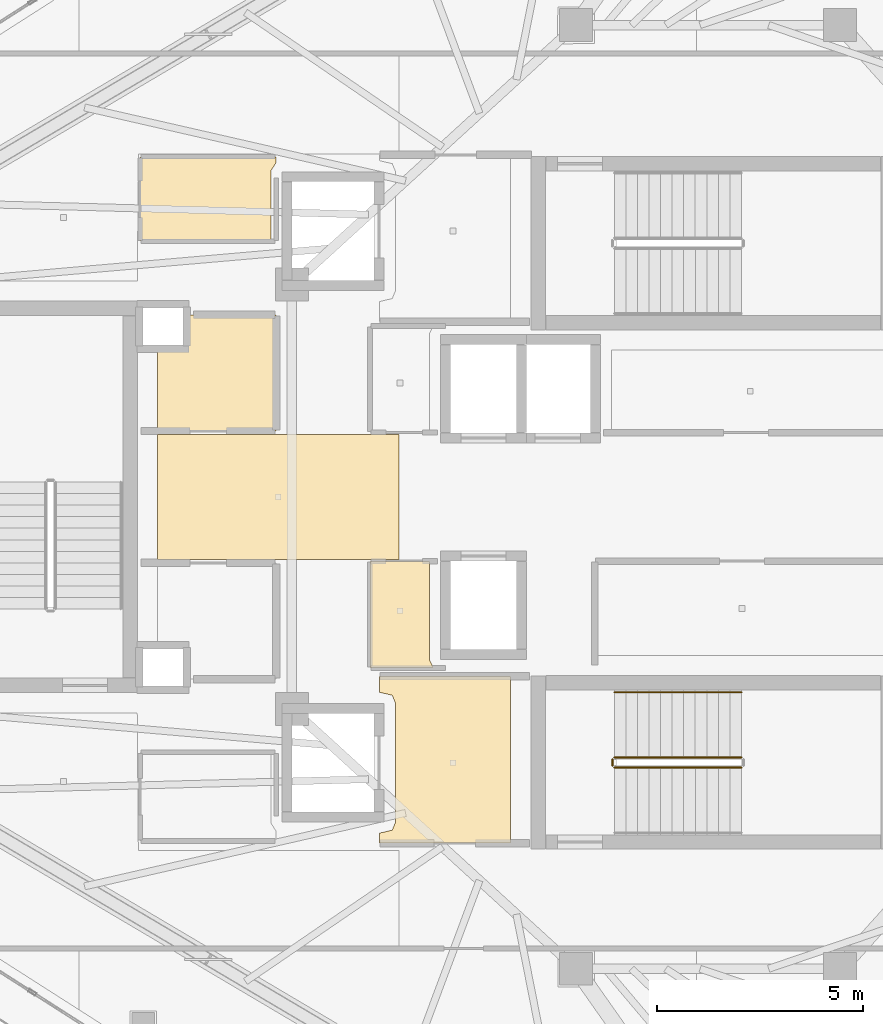
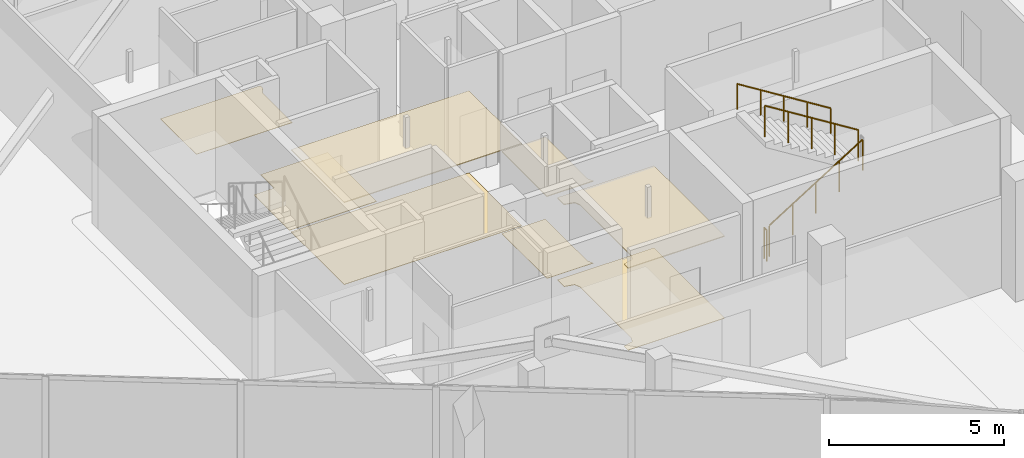
# One storey, part 31 of 34: 8 coverings, 4 railings.
"""IFC4 building model written with IfcOpenShell, lengths in metres."""

from ifc_helpers import new_model, si_unit, direction, frame, origin, origin_2d, place, context, subcontext, project, spatial, polyline, circle, outline, extrude, material, layer, layer_set, type_object, element, save


model = new_model("IFC4")

# Units and contexts
model_context = context("Model", 3, precision=1e-05, world=origin(), true_north=direction((0.0, 1.0)))
body_context = subcontext(model_context, "Body", "Model", "MODEL_VIEW")
ifc_project = project(units=[si_unit("LENGTHUNIT", "METRE"), si_unit("AREAUNIT", "SQUARE_METRE"), si_unit("VOLUMEUNIT", "CUBIC_METRE"), si_unit("PLANEANGLEUNIT", "RADIAN"), si_unit("MASSUNIT", "GRAM", prefix="KILO")], contexts=[model_context])

# Site, building, storey
site_placement = place(None, origin())
site = spatial("IfcSite", under=ifc_project, at=site_placement, CompositionType="ELEMENT")
building_placement = place(site_placement, origin())
building = spatial("IfcBuilding", under=site, at=building_placement, Name="Qorvath Tower", CompositionType="ELEMENT")
storey_placement = place(building_placement, frame((0.0, 0.0, 276.60009765625)))
storey = spatial("IfcBuildingStorey", under=building, at=storey_placement, Name="L64", CompositionType="ELEMENT", Elevation=276.60009765625)

# Coverings
ifc_material_1 = material(Name="Acoustic mineral fibre ceiling tile", Category="gypsum")
ifc_layer_1 = layer(ifc_material_1, 0.030029296875)
ifc_layer_set_1 = layer_set([ifc_layer_1], Name="COV-CEIL")
covering_type_1 = type_object("IfcCoveringType", Name="COV-CEIL", PredefinedType="CEILING", material=ifc_layer_set_1)
covering_1_placement = place(storey_placement, frame((0.0, 0.0, 2.849853515625)))
element("IfcCovering", 1, at=covering_1_placement, inside=storey, type_object=covering_type_1, Name="L64 Suspended Acoustic Ceiling 002", PredefinedType="CEILING", context=body_context, shape_type="SweptSolid", body=[
    extrude(outline(polyline([(-25.18994140625, -8.39501953125), (-25.18994140625, -4.35498046875), (-28.375, -4.35498046875), (-28.375, -4.739990234375), (-28.063232421875, -4.813232421875), (-27.989990234375, -4.989990234375), (-27.989990234375, -7.909912109375), (-28.063232421875, -8.086669921875), (-28.375, -8.159912109375), (-28.375, -8.39501953125), (-25.18994140625, -8.39501953125)])), origin(), (0.0, 0.0, 1.0), 0.030029296875),
])
covering_2_placement = place(storey_placement, frame((0.0, 0.0, 2.849853515625)))
element("IfcCovering", 2, at=covering_2_placement, inside=storey, type_object=covering_type_1, Name="L64 Suspended Acoustic Ceiling 006", PredefinedType="CEILING", context=body_context, shape_type="SweptSolid", body=[
    extrude(outline(polyline([(-27.06689453125, -4.14501953125), (-27.159912109375, -3.9599609375), (-27.159912109375, -1.56494140625), (-28.594970703125, -1.56494140625), (-28.594970703125, -4.14501953125), (-27.06689453125, -4.14501953125)])), origin(), (0.0, 0.0, 1.0), 0.030029296875),
])
covering_3_placement = place(storey_placement, frame((0.0, 0.0, 2.849853515625)))
element("IfcCovering", 3, at=covering_3_placement, inside=storey, type_object=covering_type_1, Name="L64 Suspended Acoustic Ceiling 013", PredefinedType="CEILING", context=body_context, shape_type="SweptSolid", body=[
    extrude(outline(polyline([(-27.8984375, -1.514892578125), (-27.8984375, 1.514892578125), (-33.760009765625, 1.514892578125), (-33.760009765625, -1.514892578125), (-27.8984375, -1.514892578125)])), origin(), (0.0, 0.0, 1.0), 0.030029296875),
])
ifc_material_2 = material(Name="Low-VOC modular carpet tile", Category="textile")
ifc_layer_2 = layer(ifc_material_2, 0.014892578125)
ifc_layer_set_2 = layer_set([ifc_layer_2], Name="COV-FLOOR-CPT")
covering_type_2 = type_object("IfcCoveringType", Name="COV-FLOOR-CPT", PredefinedType="FLOORING", material=ifc_layer_set_2)
covering_4_placement = place(storey_placement, origin())
element("IfcCovering", 4, at=covering_4_placement, inside=storey, type_object=covering_type_2, Name="L64 Floor Finish 006", PredefinedType="FLOORING", context=body_context, shape_type="SweptSolid", body=[
    extrude(outline(polyline([(-27.06689453125, -4.14501953125), (-27.159912109375, -3.9599609375), (-27.159912109375, -1.56494140625), (-28.594970703125, -1.56494140625), (-28.594970703125, -4.14501953125), (-27.06689453125, -4.14501953125)])), origin(), (0.0, 0.0, 1.0), 0.014892578125),
])
covering_5_placement = place(storey_placement, origin())
element("IfcCovering", 5, at=covering_5_placement, inside=storey, type_object=covering_type_2, Name="L64 Floor Finish 008", PredefinedType="FLOORING", context=body_context, shape_type="SweptSolid", body=[
    extrude(outline(polyline([(-33.760009765625, 3.636962890625), (-33.760009765625, 1.60498046875), (-30.885009765625, 1.60498046875), (-30.885009765625, 4.4150390625), (-33.0869140625, 4.4150390625), (-33.092041015625, 3.636962890625), (-33.760009765625, 3.636962890625)])), origin(), (0.0, 0.0, 1.0), 0.014892578125),
])
ifc_material_3 = material(Name="Polished epoxy terrazzo flooring", Category="concrete")
ifc_layer_3 = layer(ifc_material_3, 0.02001953125)
ifc_layer_set_3 = layer_set([ifc_layer_3], Name="COV-FLOOR-TRZ")
covering_type_3 = type_object("IfcCoveringType", Name="COV-FLOOR-TRZ", PredefinedType="FLOORING", material=ifc_layer_set_3)
covering_6_placement = place(storey_placement, origin())
element("IfcCovering", 6, at=covering_6_placement, inside=storey, type_object=covering_type_3, Name="L64 Floor Finish 002", PredefinedType="FLOORING", context=body_context, shape_type="SweptSolid", body=[
    extrude(outline(polyline([(-25.18994140625, -8.39501953125), (-25.18994140625, -4.35498046875), (-28.375, -4.35498046875), (-28.375, -4.739990234375), (-28.063232421875, -4.813232421875), (-27.989990234375, -4.989990234375), (-27.989990234375, -7.909912109375), (-28.063232421875, -8.086669921875), (-28.375, -8.159912109375), (-28.375, -8.39501953125), (-25.18994140625, -8.39501953125)])), origin(), (0.0, 0.0, 1.0), 0.014892578125),
])
covering_7_placement = place(storey_placement, origin())
element("IfcCovering", 7, at=covering_7_placement, inside=storey, type_object=covering_type_3, Name="L64 Floor Finish 007", PredefinedType="FLOORING", context=body_context, shape_type="SweptSolid", body=[
    extrude(outline(polyline([(-31.010009765625, 6.205078125), (-31.010009765625, 7.909912109375), (-30.885009765625, 8.108154296875), (-30.885009765625, 8.2451171875), (-34.175048828125, 8.2451171875), (-34.175048828125, 6.205078125), (-31.010009765625, 6.205078125)])), origin(), (0.0, 0.0, 1.0), 0.014892578125),
])
covering_8_placement = place(storey_placement, origin())
element("IfcCovering", 8, at=covering_8_placement, inside=storey, type_object=covering_type_3, Name="L64 Floor Finish 013", PredefinedType="FLOORING", context=body_context, shape_type="SweptSolid", body=[
    extrude(outline(polyline([(-27.8984375, -1.514892578125), (-27.8984375, 1.514892578125), (-33.760009765625, 1.514892578125), (-33.760009765625, -1.514892578125), (-27.8984375, -1.514892578125)])), origin(), (0.0, 0.0, 1.0), 0.014892578125),
])

# Railings
ifc_material_4 = material(Name="Painted galvanised steel", Category="steel")
railing_type_1 = type_object("IfcRailingType", Name="RL-STR-GRD", PredefinedType="GUARDRAIL", material=ifc_material_4)
railing_1_placement = place(storey_placement, frame((-22.669921875, -6.570068359375, 0.1748046875)))
element("IfcRailing", 9, at=railing_1_placement, inside=storey, type_object=railing_type_1, Name="L64 TS2 stair guard 1", PredefinedType="GUARDRAIL", context=body_context, shape_type="SweptSolid", body=[
    extrude(circle(Radius=0.02392578125, at=origin_2d()), frame((0.0, 0.0, 1.076171875), z_axis=(0.847979421464, 0.0, 0.530029150871), x_axis=(0.0, 1.0, 0.0)), (0.0, 0.0, 1.0), 3.632080078125),
    extrude(circle(Radius=0.02099609375, at=origin_2d()), origin(), (0.0, 0.0, 1.0), 1.052001953125),
    extrude(circle(Radius=0.02099609375, at=origin_2d()), frame((0.77001953125, 0.0, 0.481201171875)), (0.0, 0.0, 1.0), 1.052001953125),
    extrude(circle(Radius=0.02099609375, at=origin_2d()), frame((1.5400390625, 0.0, 0.96240234375)), (0.0, 0.0, 1.0), 1.052001953125),
    extrude(circle(Radius=0.02099609375, at=origin_2d()), frame((2.309814453125, 0.0, 1.44384765625)), (0.0, 0.0, 1.0), 1.052001953125),
    extrude(circle(Radius=0.02099609375, at=origin_2d()), frame((3.079833984375, 0.0, 1.925048828125)), (0.0, 0.0, 1.0), 1.052001953125),
])
railing_2_placement = place(storey_placement, frame((-19.590087890625, -6.320068359375, 2.27490234375)))
element("IfcRailing", 10, at=railing_2_placement, inside=storey, type_object=railing_type_1, Name="L64 TS2 stair guard 3", PredefinedType="GUARDRAIL", context=body_context, shape_type="SweptSolid", body=[
    extrude(circle(Radius=0.02392578125, at=origin_2d()), frame((0.0, 0.0, 1.076171875), z_axis=(-0.847979421464, 0.0, 0.530029150871), x_axis=(0.0, -1.0, 0.0)), (0.0, 0.0, 1.0), 3.632080078125),
    extrude(circle(Radius=0.02099609375, at=origin_2d()), origin(), (0.0, 0.0, 1.0), 1.052001953125),
    extrude(circle(Radius=0.02099609375, at=origin_2d()), frame((-0.77001953125, 0.0, 0.481201171875)), (0.0, 0.0, 1.0), 1.052001953125),
    extrude(circle(Radius=0.02099609375, at=origin_2d()), frame((-1.5400390625, 0.0, 0.96240234375)), (0.0, 0.0, 1.0), 1.052001953125),
    extrude(circle(Radius=0.02099609375, at=origin_2d()), frame((-2.309814453125, 0.0, 1.44384765625)), (0.0, 0.0, 1.0), 1.052001953125),
    extrude(circle(Radius=0.02099609375, at=origin_2d()), frame((-3.079833984375, 0.0, 1.925048828125)), (0.0, 0.0, 1.0), 1.052001953125),
])
railing_3_placement = place(storey_placement, frame((-22.719970703125, -6.52001953125, 0.0)))
element("IfcRailing", 11, at=railing_3_placement, inside=storey, type_object=railing_type_1, Name="L64 TS2 stair guard 4", PredefinedType="GUARDRAIL", context=body_context, shape_type="SweptSolid", body=[
    extrude(circle(Radius=0.02392578125, at=origin_2d()), frame((0.0, 0.0, 1.076171875), z_axis=(0.0, 1.0, 0.0), x_axis=(-1.0, 0.0, 0.0)), (0.0, 0.0, 1.0), 0.14990234375),
    extrude(circle(Radius=0.02099609375, at=origin_2d()), origin(), (0.0, 0.0, 1.0), 1.052001953125),
    extrude(circle(Radius=0.02099609375, at=origin_2d()), frame((0.0, 0.14990234375, 0.0)), (0.0, 0.0, 1.0), 1.052001953125),
])
ifc_material_5 = material(Name="Brushed stainless steel AISI 304", Category="steel")
railing_type_2 = type_object("IfcRailingType", Name="RL-STR-HND", PredefinedType="HANDRAIL", material=ifc_material_5)
railing_4_placement = place(storey_placement, frame((-19.590087890625, -4.739990234375, 2.27490234375)))
element("IfcRailing", 12, at=railing_4_placement, inside=storey, type_object=railing_type_2, Name="L64 TS2 stair handrail 2", PredefinedType="HANDRAIL", context=body_context, shape_type="SweptSolid", body=[
    extrude(circle(Radius=0.02392578125, at=origin_2d()), frame((0.0, 0.0, 0.8759765625), z_axis=(-0.847979421464, 0.0, 0.530029150871), x_axis=(0.0, -1.0, 0.0)), (0.0, 0.0, 1.0), 3.632080078125),
    extrude(circle(Radius=0.02099609375, at=origin_2d()), origin(), (0.0, 0.0, 1.0), 0.851806640625),
    extrude(circle(Radius=0.02099609375, at=origin_2d()), frame((-0.77001953125, 0.0, 0.481201171875)), (0.0, 0.0, 1.0), 0.851806640625),
    extrude(circle(Radius=0.02099609375, at=origin_2d()), frame((-1.5400390625, 0.0, 0.96240234375)), (0.0, 0.0, 1.0), 0.851806640625),
    extrude(circle(Radius=0.02099609375, at=origin_2d()), frame((-2.309814453125, 0.0, 1.44384765625)), (0.0, 0.0, 1.0), 0.851806640625),
    extrude(circle(Radius=0.02099609375, at=origin_2d()), frame((-3.079833984375, 0.0, 1.925048828125)), (0.0, 0.0, 1.0), 0.851806640625),
])

save(model, "model.ifc")
